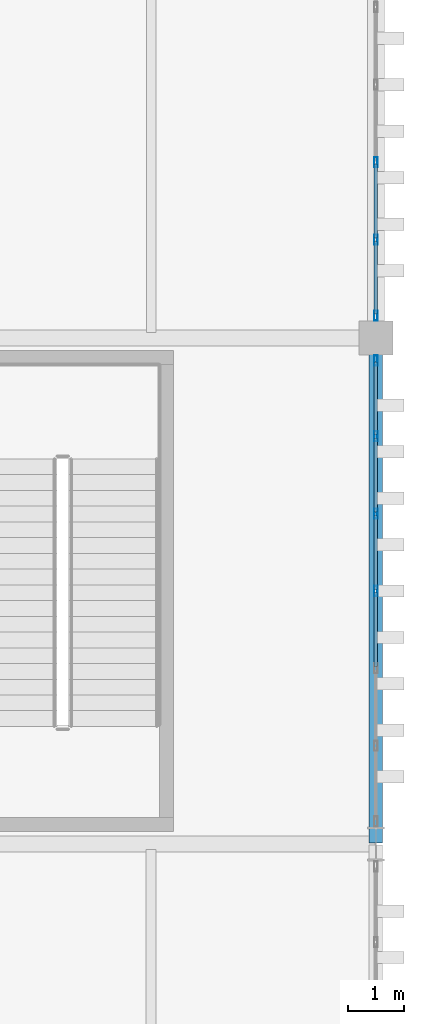
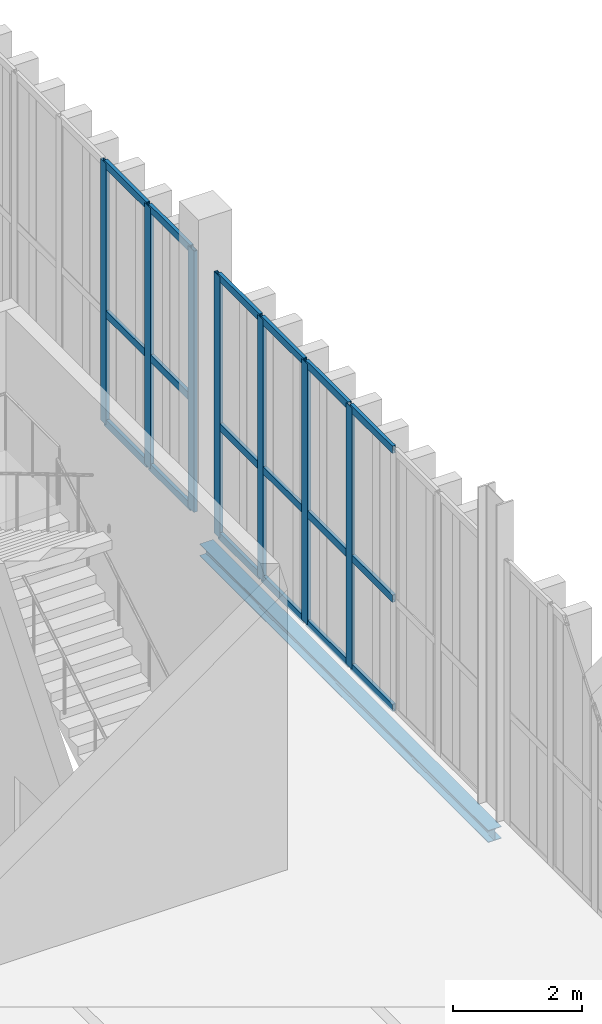
# One storey, part 130 of 211: 25 members, 1 beam, 2 elements without a shape of their own.
"""IFC4 building model written with IfcOpenShell, lengths in metres."""

from ifc_helpers import new_model, si_unit, direction, frame, origin, origin_2d, place, context, subcontext, project, spatial, hollow_rectangle, i_section, extrude, material, layer, layer_set, material_profile, profile_set, type_object, element, aggregate, save


model = new_model("IFC4")

# Units and contexts
model_context = context("Model", 3, precision=1e-05, world=origin(), true_north=direction((0.0, 1.0)))
body_context = subcontext(model_context, "Body", "Model", "MODEL_VIEW")
ifc_project = project(units=[si_unit("LENGTHUNIT", "METRE"), si_unit("AREAUNIT", "SQUARE_METRE"), si_unit("VOLUMEUNIT", "CUBIC_METRE"), si_unit("PLANEANGLEUNIT", "RADIAN"), si_unit("MASSUNIT", "GRAM", prefix="KILO")], contexts=[model_context])

# Site, building, storey
site_placement = place(None, origin())
site = spatial("IfcSite", under=ifc_project, at=site_placement, CompositionType="ELEMENT")
building_placement = place(site_placement, origin())
building = spatial("IfcBuilding", under=site, at=building_placement, Name="Barlavento Convention Centre", CompositionType="ELEMENT")
storey_placement = place(building_placement, frame((0.0, 0.0, 6.0)))
storey = spatial("IfcBuildingStorey", under=building, at=storey_placement, Name="L01", CompositionType="ELEMENT", Elevation=6.0)

# Curtain wall, members
ifc_material_1 = material(Name="Powder-coated aluminium and Low-E glass", Category="aluminium")
ifc_layer = layer(ifc_material_1, 0.195068359375)
ifc_layer_set = layer_set([ifc_layer], Name="ARC-CW-FOY-L01")
curtain_wall_type = type_object("IfcCurtainWallType", Name="ARC-CW-FOY-L01", PredefinedType="NOTDEFINED", material=ifc_layer_set)
curtain_wall_1_placement = place(storey_placement, origin())
curtain_wall_1 = element("IfcCurtainWall", 1, at=curtain_wall_1_placement, inside=storey, type_object=curtain_wall_type, Name="L01 unitised curtain wall CW03", PredefinedType="NOTDEFINED")
ifc_material_2 = material(Name="Powder-coated aluminium", Category="aluminium")
ifc_material_profile_1 = material_profile(ifc_material_2, hollow_rectangle(XDim=0.06005859375, YDim=0.179931640625, WallThickness=0.0048828125, at=origin_2d()), Name="AL-MULL 60x180x5")
ifc_profile_set_1 = profile_set([ifc_material_profile_1], Name="Powder-coated aluminium")
member_type_1 = type_object("IfcMemberType", Name="ARC-CWM-60X180", PredefinedType="MULLION", material=ifc_profile_set_1)
member_1_placement = place(storey_placement, frame((192.0, 94.5, 0.0), z_axis=(0.0, 0.0, 1.0), x_axis=(-1.0, 0.0, 0.0)))
member_1 = element("IfcMember", 2, at=member_1_placement, type_object=member_type_1, Name="CW03 mullion 4", PredefinedType="MULLION", context=body_context, shape_type="SweptSolid", body=[
    extrude(hollow_rectangle(XDim=0.06005859375, YDim=0.179931640625, WallThickness=0.0048828125, at=origin_2d()), origin(), (0.0, 0.0, 1.0), 4.949951171875),
])
member_2_placement = place(storey_placement, frame((192.0, 95.876708984375, 0.0), z_axis=(0.0, 0.0, 1.0), x_axis=(-1.0, 0.0, 0.0)))
member_2 = element("IfcMember", 3, at=member_2_placement, type_object=member_type_1, Name="CW03 mullion 5", PredefinedType="MULLION", context=body_context, shape_type="SweptSolid", body=[
    extrude(hollow_rectangle(XDim=0.06005859375, YDim=0.179931640625, WallThickness=0.0048828125, at=origin_2d()), origin(), (0.0, 0.0, 1.0), 4.949951171875),
])
member_3_placement = place(storey_placement, frame((192.0, 97.25341796875, 0.0), z_axis=(0.0, 0.0, 1.0), x_axis=(-1.0, 0.0, 0.0)))
member_3 = element("IfcMember", 4, at=member_3_placement, type_object=member_type_1, Name="CW03 mullion 6", PredefinedType="MULLION", context=body_context, shape_type="SweptSolid", body=[
    extrude(hollow_rectangle(XDim=0.06005859375, YDim=0.179931640625, WallThickness=0.0048828125, at=origin_2d()), origin(), (0.0, 0.0, 1.0), 4.949951171875),
])
member_4_placement = place(storey_placement, frame((192.0, 98.60009765625, 0.0), z_axis=(0.0, 0.0, 1.0), x_axis=(-1.0, 0.0, 0.0)))
member_4 = element("IfcMember", 5, at=member_4_placement, type_object=member_type_1, Name="CW03 mullion 7", PredefinedType="MULLION", context=body_context, shape_type="SweptSolid", body=[
    extrude(hollow_rectangle(XDim=0.06005859375, YDim=0.179931640625, WallThickness=0.0048828125, at=origin_2d()), origin(), (0.0, 0.0, 1.0), 4.949951171875),
])

curtain_wall_2_placement = place(storey_placement, origin())
curtain_wall_2 = element("IfcCurtainWall", 6, at=curtain_wall_2_placement, inside=storey, type_object=curtain_wall_type, Name="L01 unitised curtain wall CW03", PredefinedType="NOTDEFINED")
member_5_placement = place(storey_placement, frame((192.0, 99.39990234375, 0.0), z_axis=(0.0, 0.0, 1.0), x_axis=(-1.0, 0.0, 0.0)))
member_5 = element("IfcMember", 7, at=member_5_placement, type_object=member_type_1, Name="CW03 mullion 1", PredefinedType="MULLION", context=body_context, shape_type="SweptSolid", body=[
    extrude(hollow_rectangle(XDim=0.06005859375, YDim=0.179931640625, WallThickness=0.0048828125, at=origin_2d()), origin(), (0.0, 0.0, 1.0), 4.949951171875),
])
member_6_placement = place(storey_placement, frame((192.0, 100.7490234375, 0.0), z_axis=(0.0, 0.0, 1.0), x_axis=(-1.0, 0.0, 0.0)))
member_6 = element("IfcMember", 8, at=member_6_placement, type_object=member_type_1, Name="CW03 mullion 2", PredefinedType="MULLION", context=body_context, shape_type="SweptSolid", body=[
    extrude(hollow_rectangle(XDim=0.06005859375, YDim=0.179931640625, WallThickness=0.0048828125, at=origin_2d()), origin(), (0.0, 0.0, 1.0), 4.949951171875),
])
member_7_placement = place(storey_placement, frame((192.0, 102.1279296875, 0.0), z_axis=(0.0, 0.0, 1.0), x_axis=(-1.0, 0.0, 0.0)))
member_7 = element("IfcMember", 9, at=member_7_placement, type_object=member_type_1, Name="CW03 mullion 3", PredefinedType="MULLION", context=body_context, shape_type="SweptSolid", body=[
    extrude(hollow_rectangle(XDim=0.06005859375, YDim=0.179931640625, WallThickness=0.0048828125, at=origin_2d()), origin(), (0.0, 0.0, 1.0), 4.949951171875),
])

# Member
ifc_material_profile_2 = material_profile(ifc_material_2, hollow_rectangle(XDim=0.06005859375, YDim=0.139892578125, WallThickness=0.00390625, at=origin_2d()), Name="AL-TRAN 60x140x4")
ifc_profile_set_2 = profile_set([ifc_material_profile_2], Name="Powder-coated aluminium")
member_type_2 = type_object("IfcMemberType", Name="ARC-CWT-60X140", PredefinedType="USERDEFINED", material=ifc_profile_set_2)
member_8_placement = place(storey_placement, frame((192.0, 93.1533203125, 0.030029296875), z_axis=(0.0, 1.0, 0.0), x_axis=(-1.0, 0.0, 0.0)))
member_8 = element("IfcMember", 10, at=member_8_placement, type_object=member_type_2, Name="CW03 transom 3.1", ObjectType="TRANSOM", PredefinedType="USERDEFINED", context=body_context, shape_type="SweptSolid", body=[
    extrude(hollow_rectangle(XDim=0.06005859375, YDim=0.139892578125, WallThickness=0.00390625, at=origin_2d()), origin(), (0.0, 0.0, 1.0), 1.316650390625),
])

member_9_placement = place(storey_placement, frame((192.0, 93.1533203125, 2.10009765625), z_axis=(0.0, 1.0, 0.0), x_axis=(-1.0, 0.0, 0.0)))
member_9 = element("IfcMember", 11, at=member_9_placement, type_object=member_type_2, Name="CW03 transom 3.2", ObjectType="TRANSOM", PredefinedType="USERDEFINED", context=body_context, shape_type="SweptSolid", body=[
    extrude(hollow_rectangle(XDim=0.06005859375, YDim=0.139892578125, WallThickness=0.00390625, at=origin_2d()), origin(), (0.0, 0.0, 1.0), 1.316650390625),
])

member_10_placement = place(storey_placement, frame((192.0, 93.1533203125, 4.919921875), z_axis=(0.0, 1.0, 0.0), x_axis=(-1.0, 0.0, 0.0)))
member_10 = element("IfcMember", 12, at=member_10_placement, type_object=member_type_2, Name="CW03 transom 3.3", ObjectType="TRANSOM", PredefinedType="USERDEFINED", context=body_context, shape_type="SweptSolid", body=[
    extrude(hollow_rectangle(XDim=0.06005859375, YDim=0.139892578125, WallThickness=0.00390625, at=origin_2d()), origin(), (0.0, 0.0, 1.0), 1.316650390625),
])

member_11_placement = place(storey_placement, frame((192.0, 94.530029296875, 0.030029296875), z_axis=(0.0, 1.0, 0.0), x_axis=(-1.0, 0.0, 0.0)))
member_11 = element("IfcMember", 13, at=member_11_placement, type_object=member_type_2, Name="CW03 transom 4.1", ObjectType="TRANSOM", PredefinedType="USERDEFINED", context=body_context, shape_type="SweptSolid", body=[
    extrude(hollow_rectangle(XDim=0.06005859375, YDim=0.139892578125, WallThickness=0.00390625, at=origin_2d()), origin(), (0.0, 0.0, 1.0), 1.316650390625),
])

member_12_placement = place(storey_placement, frame((192.0, 94.530029296875, 2.10009765625), z_axis=(0.0, 1.0, 0.0), x_axis=(-1.0, 0.0, 0.0)))
member_12 = element("IfcMember", 14, at=member_12_placement, type_object=member_type_2, Name="CW03 transom 4.2", ObjectType="TRANSOM", PredefinedType="USERDEFINED", context=body_context, shape_type="SweptSolid", body=[
    extrude(hollow_rectangle(XDim=0.06005859375, YDim=0.139892578125, WallThickness=0.00390625, at=origin_2d()), origin(), (0.0, 0.0, 1.0), 1.316650390625),
])

member_13_placement = place(storey_placement, frame((192.0, 94.530029296875, 4.919921875), z_axis=(0.0, 1.0, 0.0), x_axis=(-1.0, 0.0, 0.0)))
member_13 = element("IfcMember", 15, at=member_13_placement, type_object=member_type_2, Name="CW03 transom 4.3", ObjectType="TRANSOM", PredefinedType="USERDEFINED", context=body_context, shape_type="SweptSolid", body=[
    extrude(hollow_rectangle(XDim=0.06005859375, YDim=0.139892578125, WallThickness=0.00390625, at=origin_2d()), origin(), (0.0, 0.0, 1.0), 1.316650390625),
])

member_14_placement = place(storey_placement, frame((192.0, 95.90673828125, 0.030029296875), z_axis=(0.0, 1.0, 0.0), x_axis=(-1.0, 0.0, 0.0)))
member_14 = element("IfcMember", 16, at=member_14_placement, type_object=member_type_2, Name="CW03 transom 5.1", ObjectType="TRANSOM", PredefinedType="USERDEFINED", context=body_context, shape_type="SweptSolid", body=[
    extrude(hollow_rectangle(XDim=0.06005859375, YDim=0.139892578125, WallThickness=0.00390625, at=origin_2d()), origin(), (0.0, 0.0, 1.0), 1.316650390625),
])

member_15_placement = place(storey_placement, frame((192.0, 95.90673828125, 2.10009765625), z_axis=(0.0, 1.0, 0.0), x_axis=(-1.0, 0.0, 0.0)))
member_15 = element("IfcMember", 17, at=member_15_placement, type_object=member_type_2, Name="CW03 transom 5.2", ObjectType="TRANSOM", PredefinedType="USERDEFINED", context=body_context, shape_type="SweptSolid", body=[
    extrude(hollow_rectangle(XDim=0.06005859375, YDim=0.139892578125, WallThickness=0.00390625, at=origin_2d()), origin(), (0.0, 0.0, 1.0), 1.316650390625),
])

member_16_placement = place(storey_placement, frame((192.0, 95.90673828125, 4.919921875), z_axis=(0.0, 1.0, 0.0), x_axis=(-1.0, 0.0, 0.0)))
member_16 = element("IfcMember", 18, at=member_16_placement, type_object=member_type_2, Name="CW03 transom 5.3", ObjectType="TRANSOM", PredefinedType="USERDEFINED", context=body_context, shape_type="SweptSolid", body=[
    extrude(hollow_rectangle(XDim=0.06005859375, YDim=0.139892578125, WallThickness=0.00390625, at=origin_2d()), origin(), (0.0, 0.0, 1.0), 1.316650390625),
])

member_17_placement = place(storey_placement, frame((192.0, 97.283447265625, 0.030029296875), z_axis=(0.0, 1.0, 0.0), x_axis=(-1.0, 0.0, 0.0)))
member_17 = element("IfcMember", 19, at=member_17_placement, type_object=member_type_2, Name="CW03 transom 6.1", ObjectType="TRANSOM", PredefinedType="USERDEFINED", context=body_context, shape_type="SweptSolid", body=[
    extrude(hollow_rectangle(XDim=0.06005859375, YDim=0.139892578125, WallThickness=0.00390625, at=origin_2d()), origin(), (0.0, 0.0, 1.0), 1.28662109375),
])

member_18_placement = place(storey_placement, frame((192.0, 97.283447265625, 2.10009765625), z_axis=(0.0, 1.0, 0.0), x_axis=(-1.0, 0.0, 0.0)))
member_18 = element("IfcMember", 20, at=member_18_placement, type_object=member_type_2, Name="CW03 transom 6.2", ObjectType="TRANSOM", PredefinedType="USERDEFINED", context=body_context, shape_type="SweptSolid", body=[
    extrude(hollow_rectangle(XDim=0.06005859375, YDim=0.139892578125, WallThickness=0.00390625, at=origin_2d()), origin(), (0.0, 0.0, 1.0), 1.28662109375),
])

member_19_placement = place(storey_placement, frame((192.0, 97.283447265625, 4.919921875), z_axis=(0.0, 1.0, 0.0), x_axis=(-1.0, 0.0, 0.0)))
member_19 = element("IfcMember", 21, at=member_19_placement, type_object=member_type_2, Name="CW03 transom 6.3", ObjectType="TRANSOM", PredefinedType="USERDEFINED", context=body_context, shape_type="SweptSolid", body=[
    extrude(hollow_rectangle(XDim=0.06005859375, YDim=0.139892578125, WallThickness=0.00390625, at=origin_2d()), origin(), (0.0, 0.0, 1.0), 1.28662109375),
])

aggregate(curtain_wall_1, [member_1, member_2, member_3, member_4, member_8, member_9, member_10, member_11, member_12, member_13, member_14, member_15, member_16, member_17, member_18, member_19])

member_20_placement = place(storey_placement, frame((192.0, 99.429931640625, 0.030029296875), z_axis=(0.0, 1.0, 0.0), x_axis=(-1.0, 0.0, 0.0)))
member_20 = element("IfcMember", 22, at=member_20_placement, type_object=member_type_2, Name="CW03 transom 1.1", ObjectType="TRANSOM", PredefinedType="USERDEFINED", context=body_context, shape_type="SweptSolid", body=[
    extrude(hollow_rectangle(XDim=0.06005859375, YDim=0.139892578125, WallThickness=0.00390625, at=origin_2d()), origin(), (0.0, 0.0, 1.0), 1.2890625),
])

member_21_placement = place(storey_placement, frame((192.0, 99.429931640625, 2.10009765625), z_axis=(0.0, 1.0, 0.0), x_axis=(-1.0, 0.0, 0.0)))
member_21 = element("IfcMember", 23, at=member_21_placement, type_object=member_type_2, Name="CW03 transom 1.2", ObjectType="TRANSOM", PredefinedType="USERDEFINED", context=body_context, shape_type="SweptSolid", body=[
    extrude(hollow_rectangle(XDim=0.06005859375, YDim=0.139892578125, WallThickness=0.00390625, at=origin_2d()), origin(), (0.0, 0.0, 1.0), 1.2890625),
])

member_22_placement = place(storey_placement, frame((192.0, 99.429931640625, 4.919921875), z_axis=(0.0, 1.0, 0.0), x_axis=(-1.0, 0.0, 0.0)))
member_22 = element("IfcMember", 24, at=member_22_placement, type_object=member_type_2, Name="CW03 transom 1.3", ObjectType="TRANSOM", PredefinedType="USERDEFINED", context=body_context, shape_type="SweptSolid", body=[
    extrude(hollow_rectangle(XDim=0.06005859375, YDim=0.139892578125, WallThickness=0.00390625, at=origin_2d()), origin(), (0.0, 0.0, 1.0), 1.2890625),
])

member_23_placement = place(storey_placement, frame((192.0, 100.779052734375, 0.030029296875), z_axis=(0.0, 1.0, 0.0), x_axis=(-1.0, 0.0, 0.0)))
member_23 = element("IfcMember", 25, at=member_23_placement, type_object=member_type_2, Name="CW03 transom 2.1", ObjectType="TRANSOM", PredefinedType="USERDEFINED", context=body_context, shape_type="SweptSolid", body=[
    extrude(hollow_rectangle(XDim=0.06005859375, YDim=0.139892578125, WallThickness=0.00390625, at=origin_2d()), origin(), (0.0, 0.0, 1.0), 1.31884765625),
])

member_24_placement = place(storey_placement, frame((192.0, 100.779052734375, 2.10009765625), z_axis=(0.0, 1.0, 0.0), x_axis=(-1.0, 0.0, 0.0)))
member_24 = element("IfcMember", 26, at=member_24_placement, type_object=member_type_2, Name="CW03 transom 2.2", ObjectType="TRANSOM", PredefinedType="USERDEFINED", context=body_context, shape_type="SweptSolid", body=[
    extrude(hollow_rectangle(XDim=0.06005859375, YDim=0.139892578125, WallThickness=0.00390625, at=origin_2d()), origin(), (0.0, 0.0, 1.0), 1.31884765625),
])

member_25_placement = place(storey_placement, frame((192.0, 100.779052734375, 4.919921875), z_axis=(0.0, 1.0, 0.0), x_axis=(-1.0, 0.0, 0.0)))
member_25 = element("IfcMember", 27, at=member_25_placement, type_object=member_type_2, Name="CW03 transom 2.3", ObjectType="TRANSOM", PredefinedType="USERDEFINED", context=body_context, shape_type="SweptSolid", body=[
    extrude(hollow_rectangle(XDim=0.06005859375, YDim=0.139892578125, WallThickness=0.00390625, at=origin_2d()), origin(), (0.0, 0.0, 1.0), 1.31884765625),
])

aggregate(curtain_wall_2, [member_5, member_6, member_7, member_20, member_21, member_22, member_23, member_24, member_25])

# Beam
ifc_material_3 = material(Name="Steel S355", Category="steel")
ifc_material_profile_3 = material_profile(ifc_material_3, i_section(OverallWidth=0.239990234375, OverallDepth=0.22998046875, WebThickness=0.007568359375, FlangeThickness=0.011962890625, FilletRadius=0.02099609375, at=origin_2d()), Name="HEA 240")
ifc_profile_set_3 = profile_set([ifc_material_profile_3], Name="Steel S355")
beam_type = type_object("IfcBeamType", Name="STR-BM-SPN-HEA240", PredefinedType="SPANDREL", material=ifc_profile_set_3)
beam_placement = place(storey_placement, frame((192.0, 90.02001953125, -0.47509765625), z_axis=(0.0, 1.0, 0.0), x_axis=(-1.0, 0.0, 0.0)))
element("IfcBeam", 28, at=beam_placement, inside=storey, type_object=beam_type, Name="L01 grid girder SP05", PredefinedType="SPANDREL", context=body_context, shape_type="SweptSolid", body=[
    extrude(i_section(OverallWidth=0.239990234375, OverallDepth=0.22998046875, WebThickness=0.007568359375, FlangeThickness=0.011962890625, FilletRadius=0.02099609375, at=origin_2d()), origin(), (0.0, 0.0, 1.0), 8.9599609375),
])

save(model, "model.ifc")
